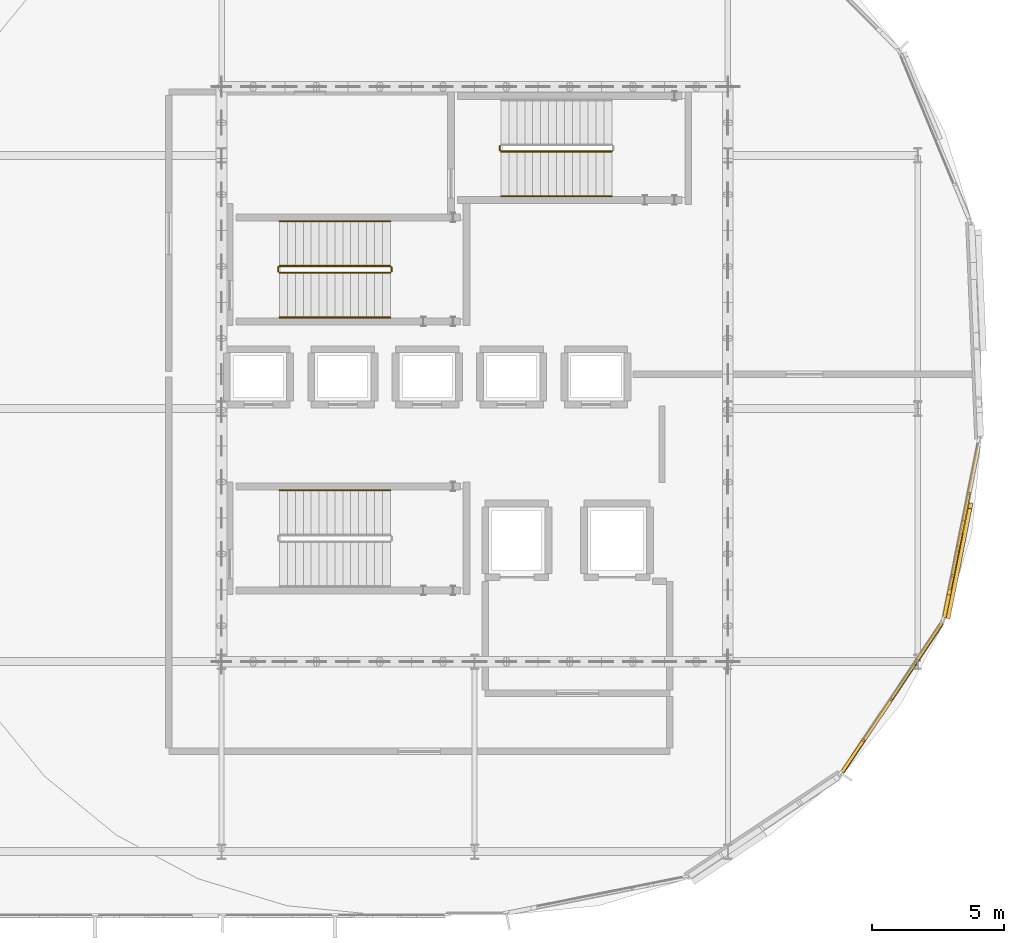
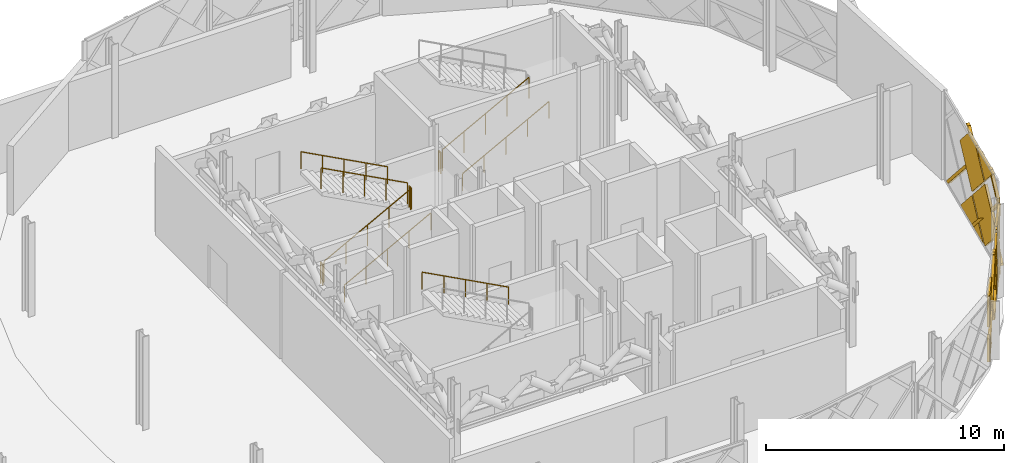
# One storey, part 71 of 77: 17 coverings, 10 railings.
"""IFC4 building model written with IfcOpenShell, lengths in metres."""

from ifc_helpers import new_model, si_unit, direction, frame, origin, origin_2d, place, context, subcontext, project, spatial, polyline, circle, outline, extrude, material, layer, layer_set, type_object, element, save


model = new_model("IFC4")

# Units and contexts
model_context = context("Model", 3, precision=1e-05, world=origin(), true_north=direction((0.0, 1.0)))
body_context = subcontext(model_context, "Body", "Model", "MODEL_VIEW")
ifc_project = project(units=[si_unit("LENGTHUNIT", "METRE"), si_unit("AREAUNIT", "SQUARE_METRE"), si_unit("VOLUMEUNIT", "CUBIC_METRE"), si_unit("PLANEANGLEUNIT", "RADIAN"), si_unit("MASSUNIT", "GRAM", prefix="KILO")], contexts=[model_context])

# Site, building, storey
site_placement = place(None, origin())
site = spatial("IfcSite", under=ifc_project, at=site_placement, CompositionType="ELEMENT")
building_placement = place(site_placement, origin())
building = spatial("IfcBuilding", under=site, at=building_placement, Name="Zevrakil Square Congress Hotel", CompositionType="ELEMENT")
storey_placement = place(building_placement, frame((0.0, 0.0, 9.89990234375)))
storey = spatial("IfcBuildingStorey", under=building, at=storey_placement, Name="L03", CompositionType="ELEMENT", Elevation=9.89990234375)

# Coverings
ifc_material_1 = material(Name="Architectural White Fibre-C GRC", Category="concrete")
ifc_layer_1 = layer(ifc_material_1, 0.06494140625)
ifc_layer_set_1 = layer_set([ifc_layer_1], Name="Architectural White Fibre-C GRC")
covering_type_1 = type_object("IfcCoveringType", Name="COV-DIA-WHITE", PredefinedType="CLADDING", material=ifc_layer_set_1)
covering_1_placement = place(storey_placement, frame((161.1689453125, 13.751708984375, 0.080078125), z_axis=(0.831437027782, -0.555618788453, 0.000480365651), x_axis=(-0.555618852558, -0.831437123709, 0.0)))
element("IfcCovering", 1, at=covering_1_placement, inside=storey, type_object=covering_type_1, Name="L03 45-degree white GRC diamond facade cassette 2098", PredefinedType="CLADDING", context=body_context, shape_type="SweptSolid", body=[
    extrude(outline(polyline([(0.0, 0.0), (1.4100444252712594, 0.0), (1.4099097483810488, -1.4099122720444544), (0.0, 0.0)])), origin(), (0.0, 0.0, -1.0), 0.1201171875),
])
covering_2_placement = place(storey_placement, frame((164.062744140625, 18.083984375, 1.590087890625), z_axis=(0.831442731228, -0.555610155628, 0.00058279633), x_axis=(0.393088062934, 0.587494618995, -0.707341393833)))
element("IfcCovering", 2, at=covering_2_placement, inside=storey, type_object=covering_type_1, Name="L03 45-degree white GRC diamond facade cassette 2099", PredefinedType="CLADDING", context=body_context, shape_type="SweptSolid", body=[
    extrude(outline(polyline([(0.0, 0.0), (0.26266104749351293, -2.7755575615628914e-17), (1.1994802588511777, -0.935909001128236), (0.0008210157939070317, -2.1353644823786495), (0.0, 0.0)])), origin(), (0.0, 0.0, -1.0), 0.1201171875),
])
covering_3_placement = place(storey_placement, frame((163.128662109375, 16.687744140625, 3.27001953125), z_axis=(0.831482771864, -0.555550261976, 0.000553635139), x_axis=(0.393172901157, 0.587750651673, -0.707081495482)))
element("IfcCovering", 3, at=covering_3_placement, inside=storey, type_object=covering_type_1, Name="L03 45-degree white GRC diamond facade cassette 2100", PredefinedType="CLADDING", context=body_context, shape_type="SweptSolid", body=[
    extrude(outline(polyline([(0.0, 0.0), (2.248458996869484, 0.0), (2.2484727816062, -2.2486303584327976), (-0.0001588425815175487, -2.248457718821162), (0.0, 0.0)])), origin(), (0.0, 0.0, -1.0), 0.1201171875),
])
covering_4_placement = place(storey_placement, frame((161.2119140625, 13.8193359375, 3.360107421875), z_axis=(0.831419057172, -0.555645444076, 0.000701319378), x_axis=(-0.392509116993, -0.588208622916, -0.707069451331)))
element("IfcCovering", 4, at=covering_4_placement, inside=storey, type_object=covering_type_1, Name="L03 45-degree white GRC diamond facade cassette 2101", PredefinedType="CLADDING", context=body_context, shape_type="SweptSolid", body=[
    extrude(outline(polyline([(0.0, 0.0), (2.107275617281762, 2.220446049250313e-16), (0.9866942552661527, -1.1208924015243384), (0.0001718885851063473, -0.13447373130884913), (0.0, 0.0)])), origin(), (0.0, 0.0, -1.0), 0.1201171875),
])
covering_5_placement = place(storey_placement, frame((164.062744140625, 18.084228515625, 1.77001953125), z_axis=(0.831410275591, -0.555658705775, 0.000596941322), x_axis=(-0.393261645978, -0.587662299771, 0.70710557856)))
element("IfcCovering", 5, at=covering_5_placement, inside=storey, type_object=covering_type_1, Name="L03 45-degree white GRC diamond facade cassette 2102", PredefinedType="CLADDING", context=body_context, shape_type="SweptSolid", body=[
    extrude(outline(polyline([(0.0, 0.0), (2.248727622937837, -2.220446049250313e-16), (2.2486585236708647, -0.13437781951564065), (1.0603242615962416, -1.3227084403030822), (0.00018270440077464145, -0.2625650895396795), (0.0, 0.0)])), origin(), (0.0, 0.0, -1.0), 0.1201171875),
])
covering_6_placement = place(storey_placement, frame((164.89111328125, 21.65087890625, 1.590087890625), z_axis=(0.980788297829, -0.195074362237, 0.000555013588), x_axis=(0.138328919404, 0.693473739757, -0.707077988855)))
element("IfcCovering", 6, at=covering_6_placement, inside=storey, type_object=covering_type_1, Name="L03 45-degree white GRC diamond facade cassette 2107", PredefinedType="CLADDING", context=body_context, shape_type="SweptSolid", body=[
    extrude(outline(polyline([(0.0, 0.0), (2.135563246805707, 0.0), (6.249161660365488e-05, -2.135327514726307), (0.0, 0.0)])), origin(), (0.0, 0.0, -1.0), 0.1201171875),
])
covering_7_placement = place(storey_placement, frame((164.562255859375, 20.00341796875, 3.27001953125), z_axis=(0.980787246059, -0.195079468912, 0.000615448987), x_axis=(0.138377522235, 0.693480195644, -0.707062146907)))
element("IfcCovering", 7, at=covering_7_placement, inside=storey, type_object=covering_type_1, Name="L03 45-degree white GRC diamond facade cassette 2108", PredefinedType="CLADDING", context=body_context, shape_type="SweptSolid", body=[
    extrude(outline(polyline([(0.0, 0.0), (2.248520428117252, 0.0), (2.248510254748928, -2.2485930595821713), (0.013903482969008119, -2.248490762766171), (-0.0002515697766973801, -2.2343339283237906), (0.0, 0.0)])), origin(), (0.0, 0.0, -1.0), 0.1201171875),
])
covering_8_placement = place(storey_placement, frame((165.2001953125, 23.210693359375, 3.360107421875), z_axis=(0.980787103319, -0.195080202192, 0.000610471074), x_axis=(-0.137523599048, -0.693627673193, -0.707084090251)))
element("IfcCovering", 8, at=covering_8_placement, inside=storey, type_object=covering_type_1, Name="L03 45-degree white GRC diamond facade cassette 2109", PredefinedType="CLADDING", context=body_context, shape_type="SweptSolid", body=[
    extrude(outline(polyline([(0.0, 0.0), (2.2487959677312293, -2.220446049250313e-16), (2.2486672339404525, -2.2485237665248476), (0.6930685348984961, -2.248748033994641), (7.704871319846873e-05, -1.5558007790902395), (0.0, 0.0)])), origin(), (0.0, 0.0, -1.0), 0.1201171875),
])
covering_9_placement = place(storey_placement, frame((164.562255859375, 20.00341796875, 3.4501953125), z_axis=(0.980789036092, -0.195070055977, 0.000734808348), x_axis=(-0.13844613012, -0.693427098638, 0.707100790502)))
element("IfcCovering", 9, at=covering_9_placement, inside=storey, type_object=covering_type_1, Name="L03 45-degree white GRC diamond facade cassette 2110", PredefinedType="CLADDING", context=body_context, shape_type="SweptSolid", body=[
    extrude(outline(polyline([(0.0, 0.0), (1.4283816100782398, 1.1102230246251565e-16), (9.305521501468128e-06, -1.4283488734323486), (0.0, 0.0)])), origin(), (0.0, 0.0, -1.0), 0.1201171875),
])
ifc_material_2 = material(Name="Anodised Champagne Aluminium", Category="aluminium")
ifc_layer_2 = layer(ifc_material_2, 0.0849609375)
ifc_layer_set_2 = layer_set([ifc_layer_2], Name="Anodised Champagne Aluminium")
covering_type_2 = type_object("IfcCoveringType", Name="COV-DIAGRID-45", PredefinedType="MOLDING", material=ifc_layer_set_2)
covering_10_placement = place(storey_placement, frame((160.4541015625, 12.636962890625, 0.080078125), z_axis=(0.831535616547, -0.555471240285, 0.000468646566), x_axis=(-0.555471300971, -0.831535708071, -8.03758e-07)))
element("IfcCovering", 10, at=covering_10_placement, inside=storey, type_object=covering_type_2, Name="L03 45-degree aluminium diagrid rib 2103", PredefinedType="MOLDING", context=body_context, shape_type="SweptSolid", body=[
    extrude(outline(polyline([(0.0, 0.0), (0.08592696927590646, 0.0), (0.08606248093555009, -0.12622078451376856), (-3.1628501041527786, -3.3749977949230012), (-3.375128657693852, -3.3749976213279638), (0.0, 0.0)])), origin(), (0.0, 0.0, -1.0), 0.14501953125),
])
covering_11_placement = place(storey_placement, frame((162.32080078125, 15.4306640625, 0.080078125), z_axis=(0.831508223308, -0.555512225517, 0.000491805098), x_axis=(-0.55551229263, -0.831508323913, -1.65915e-07)))
element("IfcCovering", 11, at=covering_11_placement, inside=storey, type_object=covering_type_2, Name="L03 45-degree aluminium diagrid rib 2104", PredefinedType="MOLDING", context=body_context, shape_type="SweptSolid", body=[
    extrude(outline(polyline([(0.0, 0.0), (0.2119399255158662, -6.776263578034403e-21), (-3.162847873143778, -3.3749998864453934), (-3.3596203546184076, -3.3749998150763205), (-3.3596203520664956, -3.3596189575614224), (0.0, 0.0)])), origin(), (0.0, 0.0, -1.0), 0.14501953125),
])
covering_12_placement = place(storey_placement, frame((160.40478515625, 12.56640625, 3.154052734375), z_axis=(0.831142832754, -0.556058980823, 3.7509705e-05), x_axis=(-3.1175923e-05, 2.0857608e-05, 0.999999999297)))
element("IfcCovering", 12, at=covering_12_placement, inside=storey, type_object=covering_type_2, Name="L03 45-degree aluminium diagrid rib 2105", PredefinedType="MOLDING", context=body_context, shape_type="SweptSolid", body=[
    extrude(outline(polyline([(0.0, 0.0), (0.21215820297574906, 0.0), (-3.0739746115375075, -3.286156335681966), (-3.0739746118360096, -3.074080746424807), (0.0, 0.0)])), origin(), (0.0, 0.0, -1.0), 0.14501953125),
])
covering_13_placement = place(storey_placement, frame((162.104248046875, 15.10986328125, 3.455078125), z_axis=(0.831607011887, -0.555363852229, 0.000877164619), x_axis=(0.555364065372, 0.831607332155, 7.00051e-07)))
element("IfcCovering", 13, at=covering_13_placement, inside=storey, type_object=covering_type_2, Name="L03 45-degree aluminium diagrid rib 2106", PredefinedType="MOLDING", context=body_context, shape_type="SweptSolid", body=[
    extrude(outline(polyline([(0.0, 0.0), (0.212142964027576, 0.0), (3.5871346379027917, -3.3750038095733026), (3.37505911607902, -3.375003512598485), (0.0, 0.0)])), origin(), (0.0, 0.0, -1.0), 0.14501953125),
])
covering_14_placement = place(storey_placement, frame((164.278564453125, 18.448974609375, 3.35400390625), z_axis=(0.980798849887, -0.195021594792, 0.00044002776), x_axis=(-0.000475345626, -0.000134296599, 0.999999878005)))
element("IfcCovering", 14, at=covering_14_placement, inside=storey, type_object=covering_type_2, Name="L03 45-degree aluminium diagrid rib 2111", PredefinedType="MOLDING", context=body_context, shape_type="SweptSolid", body=[
    extrude(outline(polyline([(0.0, 0.0), (0.21215829329403835, -6.776263578034403e-21), (1.1060006694505342, -0.8940237201313246), (1.105953089272335, -1.106323556757497), (0.0, 0.0)])), origin(), (0.0, 0.0, -1.0), 0.14501953125),
])
covering_15_placement = place(storey_placement, frame((164.297119140625, 18.532958984375, 0.080078125), z_axis=(-0.980963414863, 0.194192376617, 0.000315539608), x_axis=(-0.19419238615, -0.980963463724, 4.34046e-07)))
element("IfcCovering", 15, at=covering_15_placement, inside=storey, type_object=covering_type_2, Name="L03 45-degree aluminium diagrid rib 2112", PredefinedType="MOLDING", context=body_context, shape_type="SweptSolid", body=[
    extrude(outline(polyline([(0.0, 0.0), (0.08608848650065132, -8.470329472543003e-22), (0.08608854128620477, 0.1262206968413904), (-4.1679978737086385, 4.380128993598179), (-4.380058270278978, 4.380129111134255), (0.0, 0.0)])), origin(), (0.0, 0.0, -1.0), 0.14501953125),
])
covering_16_placement = place(storey_placement, frame((164.278564453125, 18.448974609375, 3.154052734375), z_axis=(0.980780001989, -0.195116051526, 0.00056047821), x_axis=(-0.000549705906, 0.000109358312, 0.999999842932)))
element("IfcCovering", 16, at=covering_16_placement, inside=storey, type_object=covering_type_2, Name="L03 45-degree aluminium diagrid rib 2114", PredefinedType="MOLDING", context=body_context, shape_type="SweptSolid", body=[
    extrude(outline(polyline([(0.0, 0.0), (0.21215816980175145, 2.8752798092343242e-21), (-3.073975092197887, -3.2859028134531116), (-3.0739751588443895, -3.0738424348321614), (0.0, 0.0)])), origin(), (0.0, 0.0, -1.0), 0.14501953125),
])
covering_17_placement = place(storey_placement, frame((164.6787109375, 20.463623046875, 4.460205078125), z_axis=(0.98091045732, -0.19445614931, 0.001216846458), x_axis=(0.19445629344, 0.980911183513, -1.3621e-07)))
element("IfcCovering", 17, at=covering_17_placement, inside=storey, type_object=covering_type_2, Name="L03 45-degree aluminium diagrid rib 2115", PredefinedType="MOLDING", context=body_context, shape_type="SweptSolid", body=[
    extrude(outline(polyline([(0.0, 0.0), (0.2120604106310383, 0.0), (4.592112997653949, -4.380129570498512), (4.379813106753499, -4.380129628300529), (0.0, 0.0)])), origin(), (0.0, 0.0, -1.0), 0.14501953125),
])

# Railings
ifc_material_3 = material(Name="Steel S355", Category="steel")
railing_type_1 = type_object("IfcRailingType", Name="RLG-STAIR-GUARD-1100", PredefinedType="BALUSTRADE", material=ifc_material_3)
railing_1_placement = place(storey_placement, frame((139.0, 31.550048828125, 0.16015625)))
element("IfcRailing", 18, at=railing_1_placement, inside=storey, type_object=railing_type_1, Name="L03 ST02 stair guard 1", PredefinedType="BALUSTRADE", context=body_context, shape_type="SweptSolid", body=[
    extrude(circle(Radius=0.02392578125, at=origin_2d()), frame((0.0, 0.0, 1.076171875), z_axis=(0.882351521365, 0.0, 0.470590897432), x_axis=(0.0, 1.0, 0.0)), (0.0, 0.0, 1.0), 4.760009765625),
    extrude(circle(Radius=0.02099609375, at=origin_2d()), origin(), (0.0, 0.0, 1.0), 1.052001953125),
    extrude(circle(Radius=0.02099609375, at=origin_2d()), frame((1.050048828125, 0.0, 0.56005859375)), (0.0, 0.0, 1.0), 1.052001953125),
    extrude(circle(Radius=0.02099609375, at=origin_2d()), frame((2.10009765625, 0.0, 1.1201171875)), (0.0, 0.0, 1.0), 1.052001953125),
    extrude(circle(Radius=0.02099609375, at=origin_2d()), frame((3.14990234375, 0.0, 1.679931640625)), (0.0, 0.0, 1.0), 1.052001953125),
    extrude(circle(Radius=0.02099609375, at=origin_2d()), frame((4.199951171875, 0.0, 2.239990234375)), (0.0, 0.0, 1.0), 1.052001953125),
])
railing_2_placement = place(storey_placement, frame((143.25, 31.60009765625, 2.400146484375)))
element("IfcRailing", 19, at=railing_2_placement, inside=storey, type_object=railing_type_1, Name="L03 ST02 stair guard 2", PredefinedType="BALUSTRADE", context=body_context, shape_type="SweptSolid", body=[
    extrude(circle(Radius=0.02392578125, at=origin_2d()), frame((0.0, 0.0, 1.076171875), z_axis=(0.0, 1.0, 0.0), x_axis=(-1.0, 0.0, 0.0)), (0.0, 0.0, 1.0), 0.14990234375),
    extrude(circle(Radius=0.02099609375, at=origin_2d()), origin(), (0.0, 0.0, 1.0), 1.052001953125),
    extrude(circle(Radius=0.02099609375, at=origin_2d()), frame((0.0, 0.14990234375, 0.0)), (0.0, 0.0, 1.0), 1.052001953125),
])
railing_3_placement = place(storey_placement, frame((143.199951171875, 31.800048828125, 2.56005859375)))
element("IfcRailing", 20, at=railing_3_placement, inside=storey, type_object=railing_type_1, Name="L03 ST02 stair guard 3", PredefinedType="BALUSTRADE", context=body_context, shape_type="SweptSolid", body=[
    extrude(circle(Radius=0.02392578125, at=origin_2d()), frame((0.0, 0.0, 1.076171875), z_axis=(-0.882351521365, 0.0, 0.470590897432), x_axis=(0.0, -1.0, 0.0)), (0.0, 0.0, 1.0), 4.760009765625),
    extrude(circle(Radius=0.02099609375, at=origin_2d()), origin(), (0.0, 0.0, 1.0), 1.052001953125),
    extrude(circle(Radius=0.02099609375, at=origin_2d()), frame((-1.050048828125, 0.0, 0.56005859375)), (0.0, 0.0, 1.0), 1.052001953125),
    extrude(circle(Radius=0.02099609375, at=origin_2d()), frame((-2.10009765625, 0.0, 1.1201171875)), (0.0, 0.0, 1.0), 1.052001953125),
    extrude(circle(Radius=0.02099609375, at=origin_2d()), frame((-3.14990234375, 0.0, 1.679931640625)), (0.0, 0.0, 1.0), 1.052001953125),
    extrude(circle(Radius=0.02099609375, at=origin_2d()), frame((-4.199951171875, 0.0, 2.239990234375)), (0.0, 0.0, 1.0), 1.052001953125),
])
railing_4_placement = place(storey_placement, frame((138.949951171875, 31.60009765625, 0.0)))
element("IfcRailing", 21, at=railing_4_placement, inside=storey, type_object=railing_type_1, Name="L03 ST02 stair guard 4", PredefinedType="BALUSTRADE", context=body_context, shape_type="SweptSolid", body=[
    extrude(circle(Radius=0.02392578125, at=origin_2d()), frame((0.0, 0.0, 1.076171875), z_axis=(0.0, 1.0, 0.0), x_axis=(-1.0, 0.0, 0.0)), (0.0, 0.0, 1.0), 0.14990234375),
    extrude(circle(Radius=0.02099609375, at=origin_2d()), origin(), (0.0, 0.0, 1.0), 1.052001953125),
    extrude(circle(Radius=0.02099609375, at=origin_2d()), frame((0.0, 0.14990234375, 0.0)), (0.0, 0.0, 1.0), 1.052001953125),
])
railing_5_placement = place(storey_placement, frame((147.39990234375, 36.14990234375, 0.16015625)))
element("IfcRailing", 22, at=railing_5_placement, inside=storey, type_object=railing_type_1, Name="L03 ST03 stair guard 1", PredefinedType="BALUSTRADE", context=body_context, shape_type="SweptSolid", body=[
    extrude(circle(Radius=0.02392578125, at=origin_2d()), frame((0.0, 0.0, 1.076171875), z_axis=(0.882362879185, 0.0, 0.470569601054), x_axis=(0.0, 1.0, 0.0)), (0.0, 0.0, 1.0), 4.76025390625),
    extrude(circle(Radius=0.02099609375, at=origin_2d()), origin(), (0.0, 0.0, 1.0), 1.052001953125),
    extrude(circle(Radius=0.02099609375, at=origin_2d()), frame((1.050048828125, 0.0, 0.56005859375)), (0.0, 0.0, 1.0), 1.052001953125),
    extrude(circle(Radius=0.02099609375, at=origin_2d()), frame((2.10009765625, 0.0, 1.1201171875)), (0.0, 0.0, 1.0), 1.052001953125),
    extrude(circle(Radius=0.02099609375, at=origin_2d()), frame((3.150146484375, 0.0, 1.679931640625)), (0.0, 0.0, 1.0), 1.052001953125),
    extrude(circle(Radius=0.02099609375, at=origin_2d()), frame((4.2001953125, 0.0, 2.239990234375)), (0.0, 0.0, 1.0), 1.052001953125),
])
railing_6_placement = place(storey_placement, frame((147.35009765625, 36.199951171875, 0.0)))
element("IfcRailing", 23, at=railing_6_placement, inside=storey, type_object=railing_type_1, Name="L03 ST03 stair guard 4", PredefinedType="BALUSTRADE", context=body_context, shape_type="SweptSolid", body=[
    extrude(circle(Radius=0.02392578125, at=origin_2d()), frame((0.0, 0.0, 1.076171875), z_axis=(0.0, 1.0, 0.0), x_axis=(-1.0, 0.0, 0.0)), (0.0, 0.0, 1.0), 0.150146484375),
    extrude(circle(Radius=0.02099609375, at=origin_2d()), origin(), (0.0, 0.0, 1.0), 1.052001953125),
    extrude(circle(Radius=0.02099609375, at=origin_2d()), frame((0.0, 0.150146484375, 0.0)), (0.0, 0.0, 1.0), 1.052001953125),
])
ifc_material_4 = material(Name="Steel S355", Category="steel")
railing_type_2 = type_object("IfcRailingType", Name="RLG-STAIR-HAND-900", PredefinedType="HANDRAIL", material=ifc_material_4)
railing_7_placement = place(storey_placement, frame((143.199951171875, 23.300048828125, 2.56005859375)))
element("IfcRailing", 24, at=railing_7_placement, inside=storey, type_object=railing_type_2, Name="L03 ST01 stair handrail 2", PredefinedType="HANDRAIL", context=body_context, shape_type="SweptSolid", body=[
    extrude(circle(Radius=0.02392578125, at=origin_2d()), frame((0.0, 0.0, 0.8759765625), z_axis=(-0.882351521365, 0.0, 0.470590897432), x_axis=(0.0, -1.0, 0.0)), (0.0, 0.0, 1.0), 4.760009765625),
    extrude(circle(Radius=0.02099609375, at=origin_2d()), origin(), (0.0, 0.0, 1.0), 0.851806640625),
    extrude(circle(Radius=0.02099609375, at=origin_2d()), frame((-1.050048828125, 0.0, 0.56005859375)), (0.0, 0.0, 1.0), 0.851806640625),
    extrude(circle(Radius=0.02099609375, at=origin_2d()), frame((-2.10009765625, 0.0, 1.1201171875)), (0.0, 0.0, 1.0), 0.851806640625),
    extrude(circle(Radius=0.02099609375, at=origin_2d()), frame((-3.14990234375, 0.0, 1.679931640625)), (0.0, 0.0, 1.0), 0.851806640625),
    extrude(circle(Radius=0.02099609375, at=origin_2d()), frame((-4.199951171875, 0.0, 2.239990234375)), (0.0, 0.0, 1.0), 0.851806640625),
])
railing_8_placement = place(storey_placement, frame((139.0, 29.85009765625, 0.16015625)))
element("IfcRailing", 25, at=railing_8_placement, inside=storey, type_object=railing_type_2, Name="L03 ST02 stair handrail 1", PredefinedType="HANDRAIL", context=body_context, shape_type="SweptSolid", body=[
    extrude(circle(Radius=0.02392578125, at=origin_2d()), frame((0.0, 0.0, 0.8759765625), z_axis=(0.882351521365, 0.0, 0.470590897432), x_axis=(0.0, 1.0, 0.0)), (0.0, 0.0, 1.0), 4.760009765625),
    extrude(circle(Radius=0.02099609375, at=origin_2d()), origin(), (0.0, 0.0, 1.0), 0.851806640625),
    extrude(circle(Radius=0.02099609375, at=origin_2d()), frame((1.050048828125, 0.0, 0.56005859375)), (0.0, 0.0, 1.0), 0.851806640625),
    extrude(circle(Radius=0.02099609375, at=origin_2d()), frame((2.10009765625, 0.0, 1.1201171875)), (0.0, 0.0, 1.0), 0.851806640625),
    extrude(circle(Radius=0.02099609375, at=origin_2d()), frame((3.14990234375, 0.0, 1.679931640625)), (0.0, 0.0, 1.0), 0.851806640625),
    extrude(circle(Radius=0.02099609375, at=origin_2d()), frame((4.199951171875, 0.0, 2.239990234375)), (0.0, 0.0, 1.0), 0.851806640625),
])
railing_9_placement = place(storey_placement, frame((143.199951171875, 33.5, 2.56005859375)))
element("IfcRailing", 26, at=railing_9_placement, inside=storey, type_object=railing_type_2, Name="L03 ST02 stair handrail 2", PredefinedType="HANDRAIL", context=body_context, shape_type="SweptSolid", body=[
    extrude(circle(Radius=0.02392578125, at=origin_2d()), frame((0.0, 0.0, 0.8759765625), z_axis=(-0.882351521365, 0.0, 0.470590897432), x_axis=(0.0, -1.0, 0.0)), (0.0, 0.0, 1.0), 4.760009765625),
    extrude(circle(Radius=0.02099609375, at=origin_2d()), origin(), (0.0, 0.0, 1.0), 0.851806640625),
    extrude(circle(Radius=0.02099609375, at=origin_2d()), frame((-1.050048828125, 0.0, 0.56005859375)), (0.0, 0.0, 1.0), 0.851806640625),
    extrude(circle(Radius=0.02099609375, at=origin_2d()), frame((-2.10009765625, 0.0, 1.1201171875)), (0.0, 0.0, 1.0), 0.851806640625),
    extrude(circle(Radius=0.02099609375, at=origin_2d()), frame((-3.14990234375, 0.0, 1.679931640625)), (0.0, 0.0, 1.0), 0.851806640625),
    extrude(circle(Radius=0.02099609375, at=origin_2d()), frame((-4.199951171875, 0.0, 2.239990234375)), (0.0, 0.0, 1.0), 0.851806640625),
])
railing_10_placement = place(storey_placement, frame((147.39990234375, 34.449951171875, 0.16015625)))
element("IfcRailing", 27, at=railing_10_placement, inside=storey, type_object=railing_type_2, Name="L03 ST03 stair handrail 1", PredefinedType="HANDRAIL", context=body_context, shape_type="SweptSolid", body=[
    extrude(circle(Radius=0.02392578125, at=origin_2d()), frame((0.0, 0.0, 0.8759765625), z_axis=(0.882362879185, 0.0, 0.470569601054), x_axis=(0.0, 1.0, 0.0)), (0.0, 0.0, 1.0), 4.76025390625),
    extrude(circle(Radius=0.02099609375, at=origin_2d()), origin(), (0.0, 0.0, 1.0), 0.851806640625),
    extrude(circle(Radius=0.02099609375, at=origin_2d()), frame((1.050048828125, 0.0, 0.56005859375)), (0.0, 0.0, 1.0), 0.851806640625),
    extrude(circle(Radius=0.02099609375, at=origin_2d()), frame((2.10009765625, 0.0, 1.1201171875)), (0.0, 0.0, 1.0), 0.851806640625),
    extrude(circle(Radius=0.02099609375, at=origin_2d()), frame((3.150146484375, 0.0, 1.679931640625)), (0.0, 0.0, 1.0), 0.851806640625),
    extrude(circle(Radius=0.02099609375, at=origin_2d()), frame((4.2001953125, 0.0, 2.239990234375)), (0.0, 0.0, 1.0), 0.851806640625),
])

save(model, "model.ifc")
